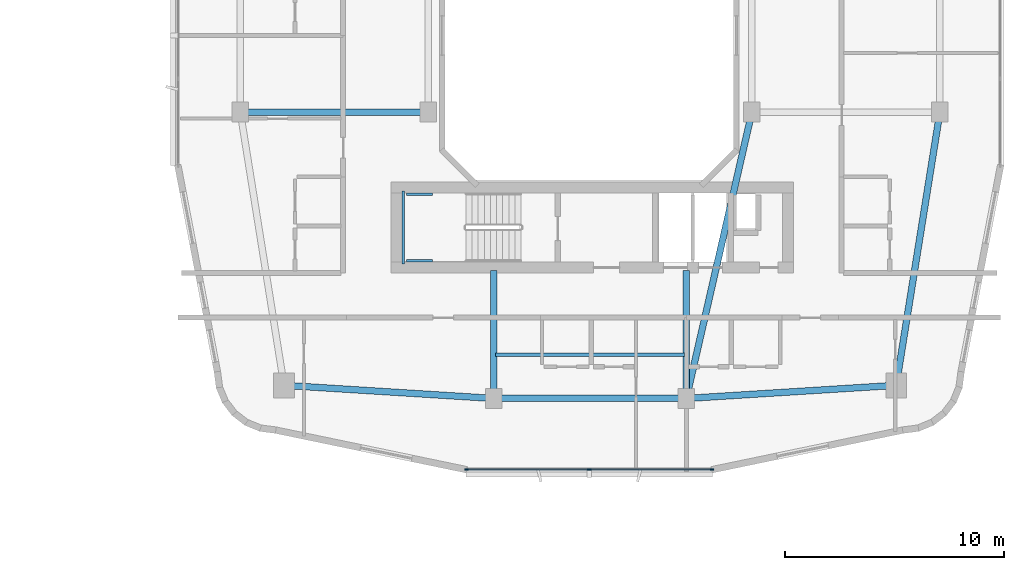
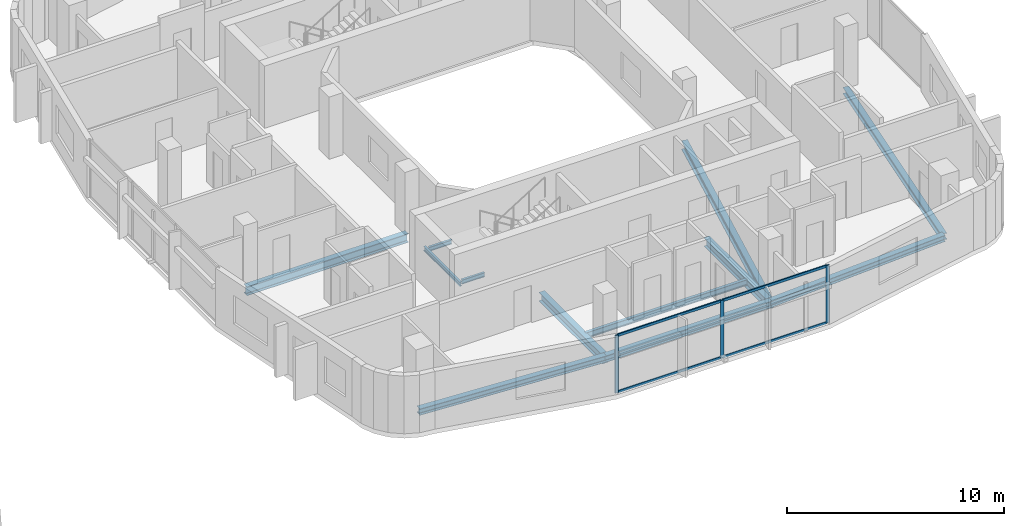
# One storey, part 8 of 26: 12 beams, 7 members, 1 element without a shape of its own.
"""IFC4 building model written with IfcOpenShell, lengths in metres."""

from ifc_helpers import new_model, si_unit, derived_unit, direction, frame, origin, origin_2d, place, context, subcontext, project, spatial, rectangle, i_section, extrude, material, layer, layer_set, material_profile, profile_set, type_object, element, aggregate, save


model = new_model("IFC4")

# Units and contexts
model_context = context("Model", 3, precision=1e-05, world=origin(), true_north=direction((0.0, 1.0)))
body_context = subcontext(model_context, "Body", "Model", "MODEL_VIEW")
ifc_project = project(units=[si_unit("LENGTHUNIT", "METRE"), si_unit("AREAUNIT", "SQUARE_METRE"), si_unit("VOLUMEUNIT", "CUBIC_METRE"), si_unit("PLANEANGLEUNIT", "RADIAN"), si_unit("MASSUNIT", "GRAM", prefix="KILO"), derived_unit("THERMALTRANSMITTANCEUNIT", [(si_unit("POWERUNIT", "WATT"), 1), (si_unit("LENGTHUNIT", "METRE"), -2), (si_unit("THERMODYNAMICTEMPERATUREUNIT", "KELVIN"), -1)])], contexts=[model_context])

# Site, building, storey
site_placement = place(None, origin())
site = spatial("IfcSite", under=ifc_project, at=site_placement, CompositionType="ELEMENT")
building_placement = place(site_placement, origin())
building = spatial("IfcBuilding", under=site, at=building_placement, Name="Kivonza Crest Hotel", CompositionType="ELEMENT")
storey_placement = place(building_placement, frame((0.0, 0.0, 66.0)))
storey = spatial("IfcBuildingStorey", under=building, at=storey_placement, Name="L17", CompositionType="ELEMENT", Elevation=66.0)

# Beams
ifc_material_1 = material(Name="Steel S355", Category="steel")
ifc_material_profile_1 = material_profile(ifc_material_1, i_section(OverallWidth=0.300048828125, OverallDepth=0.360107421875, WebThickness=0.012451171875, FlangeThickness=0.0224609375, FilletRadius=0.027099609375, at=origin_2d()), Name="HEB 360")
ifc_profile_set_1 = profile_set([ifc_material_profile_1], Name="Steel S355")
beam_type_1 = type_object("IfcBeamType", Name="BM-HEB360", PredefinedType="SPANDREL", material=ifc_profile_set_1)
beam_1_placement = place(storey_placement, frame((72.60009765625, 8.39990234375, -0.429931640625), z_axis=(1.0, 0.0, 0.0), x_axis=(0.0, 1.0, 0.0)))
element("IfcBeam", 1, at=beam_1_placement, inside=storey, type_object=beam_type_1, Name="Companion Tower T2 L17 perimeter spandrel S1-S2", PredefinedType="SPANDREL", context=body_context, shape_type="SweptSolid", body=[
    extrude(i_section(OverallWidth=0.300048828125, OverallDepth=0.360107421875, WebThickness=0.012451171875, FlangeThickness=0.0224609375, FilletRadius=0.027099609375, at=origin_2d()), origin(), (0.0, 0.0, 1.0), 8.7998046875),
])
beam_2_placement = place(storey_placement, frame((81.39990234375, 8.39990234375, -0.429931640625), z_axis=(0.998051985873, 0.062387767186, 0.0), x_axis=(-0.062387767186, 0.998051985873, 0.0)))
element("IfcBeam", 2, at=beam_2_placement, inside=storey, type_object=beam_type_1, Name="Companion Tower T2 L17 perimeter spandrel S2-SE", PredefinedType="SPANDREL", context=body_context, shape_type="SweptSolid", body=[
    extrude(i_section(OverallWidth=0.300048828125, OverallDepth=0.360107421875, WebThickness=0.012451171875, FlangeThickness=0.0224609375, FilletRadius=0.027099609375, at=origin_2d()), origin(), (0.0, 0.0, 1.0), 9.618896484375),
])
beam_3_placement = place(storey_placement, frame((91.0, 9.0, -0.429931640625), z_axis=(0.157990501107, 0.987440631917, 0.0), x_axis=(-0.987440631917, 0.157990501107, 0.0)))
element("IfcBeam", 3, at=beam_3_placement, inside=storey, type_object=beam_type_1, Name="Companion Tower T2 L17 perimeter spandrel SE-E1", PredefinedType="SPANDREL", context=body_context, shape_type="SweptSolid", body=[
    extrude(i_section(OverallWidth=0.300048828125, OverallDepth=0.360107421875, WebThickness=0.012451171875, FlangeThickness=0.0224609375, FilletRadius=0.027099609375, at=origin_2d()), origin(), (0.0, 0.0, 1.0), 12.658935546875),
])
beam_4_placement = place(storey_placement, frame((63.0, 9.0, -0.429931640625), z_axis=(0.998051985873, -0.062387767186, 0.0), x_axis=(0.062387767186, 0.998051985873, 0.0)))
element("IfcBeam", 4, at=beam_4_placement, inside=storey, type_object=beam_type_1, Name="Companion Tower T2 L17 perimeter spandrel SW-S1", PredefinedType="SPANDREL", context=body_context, shape_type="SweptSolid", body=[
    extrude(i_section(OverallWidth=0.300048828125, OverallDepth=0.360107421875, WebThickness=0.012451171875, FlangeThickness=0.0224609375, FilletRadius=0.027099609375, at=origin_2d()), origin(), (0.0, 0.0, 1.0), 9.618896484375),
])
ifc_material_profile_2 = material_profile(ifc_material_1, i_section(OverallWidth=0.300048828125, OverallDepth=0.5, WebThickness=0.014404296875, FlangeThickness=0.028076171875, FilletRadius=0.027099609375, at=origin_2d()), Name="HEB 500")
ifc_profile_set_2 = profile_set([ifc_material_profile_2], Name="Steel S355")
beam_type_2 = type_object("IfcBeamType", Name="BM-HEB500", PredefinedType="BEAM", material=ifc_profile_set_2)
beam_5_placement = place(storey_placement, frame((61.0, 21.5, -0.5), z_axis=(1.0, 0.0, 0.0), x_axis=(0.0, 1.0, 0.0)))
element("IfcBeam", 5, at=beam_5_placement, inside=storey, type_object=beam_type_2, Name="Companion Tower T2 L17 girder W1-WL1", PredefinedType="BEAM", context=body_context, shape_type="SweptSolid", body=[
    extrude(i_section(OverallWidth=0.300048828125, OverallDepth=0.5, WebThickness=0.014404296875, FlangeThickness=0.028076171875, FilletRadius=0.027099609375, at=origin_2d()), origin(), (0.0, 0.0, 1.0), 8.60009765625),
])
beam_6_placement = place(storey_placement, frame((84.39990234375, 21.5, -0.5), z_axis=(-0.223227287589, -0.974766422317, 0.0), x_axis=(0.974766422317, -0.223227287589, 0.0)))
element("IfcBeam", 6, at=beam_6_placement, inside=storey, type_object=beam_type_2, Name="Companion Tower T2 L17 girder WR1-S2", PredefinedType="BEAM", context=body_context, shape_type="SweptSolid", body=[
    extrude(i_section(OverallWidth=0.300048828125, OverallDepth=0.5, WebThickness=0.014404296875, FlangeThickness=0.028076171875, FilletRadius=0.027099609375, at=origin_2d()), origin(), (0.0, 0.0, 1.0), 13.439208984375),
])
for number, where, z_axis, x_axis, name in (
    (7, (72.60009765625, 8.39990234375, -0.5), (0.0, 1.0, 0.0), (-1.0, 0.0, 0.0), "Companion T2 L17 radial core girder RS1"),
    (8, (81.39990234375, 8.39990234375, -0.5), (0.0, 1.0, 0.0), (-1.0, 0.0, 0.0), "Companion T2 L17 radial core girder RS2"),
):
    element("IfcBeam", number, at=place(storey_placement, frame(where, z_axis=z_axis, x_axis=x_axis)), inside=storey, type_object=beam_type_2, Name=name, PredefinedType="BEAM", context=body_context, shape_type="SweptSolid", body=[
        extrude(i_section(OverallWidth=0.300048828125, OverallDepth=0.5, WebThickness=0.014404296875, FlangeThickness=0.028076171875, FilletRadius=0.027099609375, at=origin_2d()), origin(), (0.0, 0.0, 1.0), 5.85009765625),
    ])
ifc_material_profile_3 = material_profile(ifc_material_1, i_section(OverallWidth=0.159912109375, OverallDepth=0.330078125, WebThickness=0.007568359375, FlangeThickness=0.011474609375, FilletRadius=0.01806640625, at=origin_2d()), Name="IPE 330")
ifc_profile_set_3 = profile_set([ifc_material_profile_3], Name="Steel S355")
beam_type_3 = type_object("IfcBeamType", Name="BM-IPE330", PredefinedType="JOIST", material=ifc_profile_set_3)
beam_7_placement = place(storey_placement, frame((72.679931640625, 10.39990234375, -0.4150390625), z_axis=(1.0, 0.0, 0.0), x_axis=(0.0, 1.0, 0.0)))
element("IfcBeam", 9, at=beam_7_placement, inside=storey, type_object=beam_type_3, Name="Companion Tower T2 L17 South floor joist", PredefinedType="JOIST", context=body_context, shape_type="SweptSolid", body=[
    extrude(i_section(OverallWidth=0.159912109375, OverallDepth=0.330078125, WebThickness=0.007568359375, FlangeThickness=0.011474609375, FilletRadius=0.01806640625, at=origin_2d()), origin(), (0.0, 0.0, 1.0), 8.64013671875),
])
ifc_material_profile_4 = material_profile(ifc_material_1, i_section(OverallWidth=0.1201171875, OverallDepth=0.239990234375, WebThickness=0.006103515625, FlangeThickness=0.009765625, FilletRadius=0.014892578125, at=origin_2d()), Name="IPE 240")
ifc_profile_set_4 = profile_set([ifc_material_profile_4], Name="Steel S355")
beam_type_4 = type_object("IfcBeamType", Name="BM-LLDG-240", PredefinedType="BEAM", material=ifc_profile_set_4)
beam_8_placement = place(storey_placement, frame((68.4599609375, 14.5400390625, 1.429931640625), z_axis=(0.0, 1.0, 0.0), x_axis=(-1.0, 0.0, 0.0)))
element("IfcBeam", 10, at=beam_8_placement, inside=storey, type_object=beam_type_4, Name="Stair ST-T2-S L17 West landing corbel", PredefinedType="BEAM", context=body_context, shape_type="SweptSolid", body=[
    extrude(i_section(OverallWidth=0.1201171875, OverallDepth=0.239990234375, WebThickness=0.006103515625, FlangeThickness=0.009765625, FilletRadius=0.014892578125, at=origin_2d()), origin(), (0.0, 0.0, 1.0), 3.35986328125),
])
for number, where, z_axis, x_axis, name in (
    (11, (68.590087890625, 14.699951171875, 1.429931640625), (1.0, 0.0, 0.0), (0.0, 1.0, 0.0), "Stair ST-T2-S L17 South landing corbel"),
    (12, (68.590087890625, 17.739990234375, 1.429931640625), (1.0, 0.0, 0.0), (0.0, 1.0, 0.0), "Stair ST-T2-S L17 North landing corbel"),
):
    element("IfcBeam", number, at=place(storey_placement, frame(where, z_axis=z_axis, x_axis=x_axis)), inside=storey, type_object=beam_type_4, Name=name, PredefinedType="BEAM", context=body_context, shape_type="SweptSolid", body=[
        extrude(i_section(OverallWidth=0.1201171875, OverallDepth=0.239990234375, WebThickness=0.006103515625, FlangeThickness=0.009765625, FilletRadius=0.014892578125, at=origin_2d()), origin(), (0.0, 0.0, 1.0), 1.2099609375),
    ])

# Curtain wall, members
ifc_material_2 = material(Name="Anodised bronze aluminium and low-E double glazing", Category="aluminium")
ifc_layer = layer(ifc_material_2, 0.179931640625)
ifc_layer_set = layer_set([ifc_layer], Name="Anodised bronze aluminium and low-E double glazing")
curtain_wall_type = type_object("IfcCurtainWallType", Name="CW-SYS-4", PredefinedType="NOTDEFINED", material=ifc_layer_set)
curtain_wall_placement = place(storey_placement, origin())
curtain_wall = element("IfcCurtainWall", 13, at=curtain_wall_placement, inside=storey, type_object=curtain_wall_type, Name="L17 unitised curtain wall CW-T2-L17-08", PredefinedType="NOTDEFINED")
ifc_material_3 = material(Name="Anodised bronze aluminium", Category="aluminium")
ifc_material_profile_5 = material_profile(ifc_material_3, rectangle(XDim=0.06494140625, YDim=0.179931640625, at=origin_2d()), Name="CW-M 65x180")
ifc_profile_set_5 = profile_set([ifc_material_profile_5], Name="Anodised bronze aluminium")
member_type_1 = type_object("IfcMemberType", Name="CW-MUL-65x180", PredefinedType="MULLION", material=ifc_profile_set_5)
member_1_placement = place(storey_placement, frame((71.344482421875, 5.159912109375, 0.0), z_axis=(0.0, 0.0, 1.0), x_axis=(0.0, 1.0, 0.0)))
member_1 = element("IfcMember", 14, at=member_1_placement, type_object=member_type_1, Name="CW-4 mullion 1", PredefinedType="MULLION", context=body_context, shape_type="SweptSolid", body=[
    extrude(rectangle(XDim=0.06494140625, YDim=0.179931640625, at=origin_2d()), origin(), (0.0, 0.0, 1.0), 3.25),
])
member_2_placement = place(storey_placement, frame((76.9599609375, 5.159912109375, 0.0), z_axis=(0.0, 0.0, 1.0), x_axis=(0.0, 1.0, 0.0)))
member_2 = element("IfcMember", 15, at=member_2_placement, type_object=member_type_1, Name="CW-4 mullion 2", PredefinedType="MULLION", context=body_context, shape_type="SweptSolid", body=[
    extrude(rectangle(XDim=0.06494140625, YDim=0.179931640625, at=origin_2d()), origin(), (0.0, 0.0, 1.0), 3.25),
])
member_3_placement = place(storey_placement, frame((82.575439453125, 5.159912109375, 0.0), z_axis=(0.0, 0.0, 1.0), x_axis=(0.0, 1.0, 0.0)))
member_3 = element("IfcMember", 16, at=member_3_placement, type_object=member_type_1, Name="CW-4 mullion 3", PredefinedType="MULLION", context=body_context, shape_type="SweptSolid", body=[
    extrude(rectangle(XDim=0.06494140625, YDim=0.179931640625, at=origin_2d()), origin(), (0.0, 0.0, 1.0), 3.25),
])
ifc_material_profile_6 = material_profile(ifc_material_3, rectangle(XDim=0.06494140625, YDim=0.139892578125, at=origin_2d()), Name="CW-T 65x140")
ifc_profile_set_6 = profile_set([ifc_material_profile_6], Name="Anodised bronze aluminium")
member_type_2 = type_object("IfcMemberType", Name="CW-TRN-65x140", PredefinedType="USERDEFINED", material=ifc_profile_set_6)
member_4_placement = place(storey_placement, frame((71.376953125, 5.159912109375, 0.032470703125), z_axis=(1.0, 0.0, 0.0), x_axis=(0.0, 1.0, 0.0)))
member_4 = element("IfcMember", 17, at=member_4_placement, type_object=member_type_2, Name="CW-4 transom 1.1", ObjectType="TRANSOM", PredefinedType="USERDEFINED", context=body_context, shape_type="SweptSolid", body=[
    extrude(rectangle(XDim=0.06494140625, YDim=0.139892578125, at=origin_2d()), origin(), (0.0, 0.0, 1.0), 5.550537109375),
])
member_5_placement = place(storey_placement, frame((71.376953125, 5.159912109375, 3.217529296875), z_axis=(1.0, 0.0, 0.0), x_axis=(0.0, 1.0, 0.0)))
member_5 = element("IfcMember", 18, at=member_5_placement, type_object=member_type_2, Name="CW-4 transom 1.2", ObjectType="TRANSOM", PredefinedType="USERDEFINED", context=body_context, shape_type="SweptSolid", body=[
    extrude(rectangle(XDim=0.06494140625, YDim=0.139892578125, at=origin_2d()), origin(), (0.0, 0.0, 1.0), 5.550537109375),
])
member_6_placement = place(storey_placement, frame((76.992431640625, 5.159912109375, 0.032470703125), z_axis=(1.0, 0.0, 0.0), x_axis=(0.0, 1.0, 0.0)))
member_6 = element("IfcMember", 19, at=member_6_placement, type_object=member_type_2, Name="CW-4 transom 2.1", ObjectType="TRANSOM", PredefinedType="USERDEFINED", context=body_context, shape_type="SweptSolid", body=[
    extrude(rectangle(XDim=0.06494140625, YDim=0.139892578125, at=origin_2d()), origin(), (0.0, 0.0, 1.0), 5.550537109375),
])
member_7_placement = place(storey_placement, frame((76.992431640625, 5.159912109375, 3.217529296875), z_axis=(1.0, 0.0, 0.0), x_axis=(0.0, 1.0, 0.0)))
member_7 = element("IfcMember", 20, at=member_7_placement, type_object=member_type_2, Name="CW-4 transom 2.2", ObjectType="TRANSOM", PredefinedType="USERDEFINED", context=body_context, shape_type="SweptSolid", body=[
    extrude(rectangle(XDim=0.06494140625, YDim=0.139892578125, at=origin_2d()), origin(), (0.0, 0.0, 1.0), 5.550537109375),
])
aggregate(curtain_wall, [member_1, member_2, member_3, member_4, member_5, member_6, member_7])

save(model, "model.ifc")
